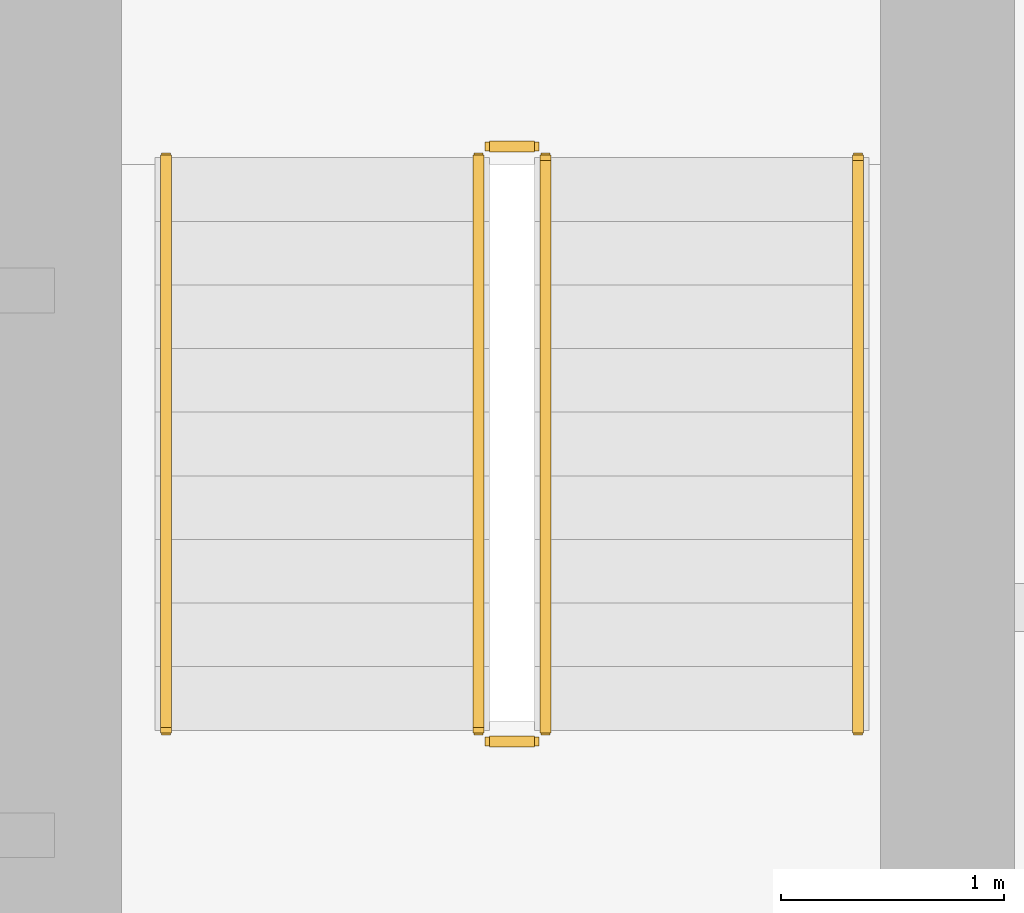
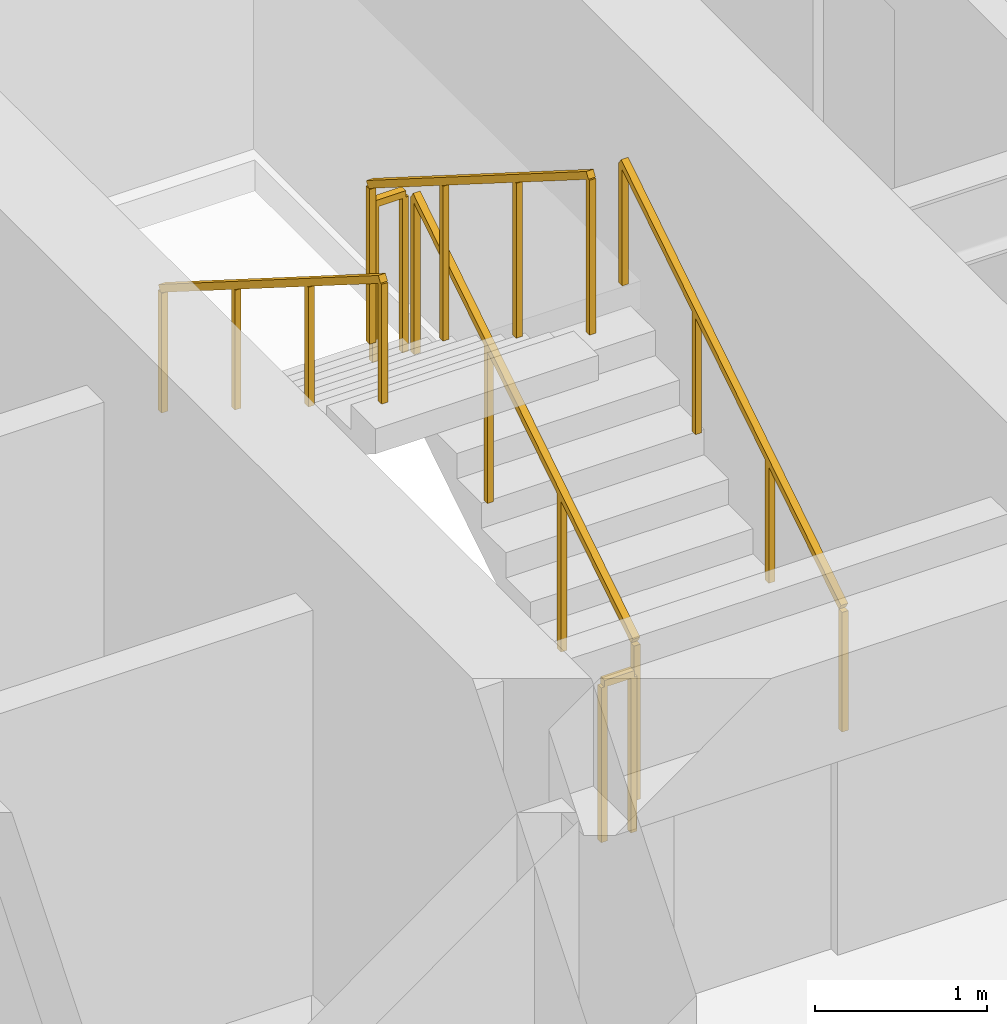
# One storey, part 26 of 26: 6 railings.
"""IFC4 building model written with IfcOpenShell, lengths in metres."""

from ifc_helpers import new_model, si_unit, direction, frame, origin, origin_2d, place, context, subcontext, project, spatial, rectangle, extrude, material, type_object, element, save


model = new_model("IFC4")

# Units and contexts
model_context = context("Model", 3, precision=1e-05, world=origin(), true_north=direction((0.0, 1.0)))
body_context = subcontext(model_context, "Body", "Model", "MODEL_VIEW")
ifc_project = project(units=[si_unit("LENGTHUNIT", "METRE"), si_unit("AREAUNIT", "SQUARE_METRE"), si_unit("VOLUMEUNIT", "CUBIC_METRE"), si_unit("PLANEANGLEUNIT", "RADIAN"), si_unit("MASSUNIT", "GRAM", prefix="KILO")], contexts=[model_context])

# Site, building, storey
site_placement = place(None, origin())
site = spatial("IfcSite", under=ifc_project, at=site_placement, CompositionType="ELEMENT")
building_placement = place(site_placement, origin())
building = spatial("IfcBuilding", under=site, at=building_placement, Name="Sarneth Arch Tower", CompositionType="ELEMENT")
storey_placement = place(building_placement, frame((0.0, 0.0, 49.800048828125)))
storey = spatial("IfcBuildingStorey", under=building, at=storey_placement, Name="L11", CompositionType="ELEMENT", Elevation=49.800048828125)

# Railings
ifc_material_1 = material(Name="Brushed Stainless Steel 304 tubular handrail", Category="steel")
railing_type_1 = type_object("IfcRailingType", Name="RAIL-HANDRAIL-900", PredefinedType="HANDRAIL", material=ifc_material_1)
railing_1_placement = place(storey_placement, frame((58.60009765625, 41.449951171875, 0.179931640625)))
element("IfcRailing", 1, at=railing_1_placement, inside=storey, type_object=railing_type_1, Name="L11 ST-2 stair handrail 1", PredefinedType="HANDRAIL", context=body_context, shape_type="SweptSolid", body=[
    extrude(rectangle(XDim=0.048095703125, YDim=0.048095703125, at=origin_2d()), frame((0.0, 0.0, 0.8759765625), z_axis=(0.0, 0.845465955043, 0.534029323973), x_axis=(-1.0, 0.0, 0.0)), (0.0, 0.0, 1.0), 3.03369140625),
    extrude(rectangle(XDim=0.0419921875, YDim=0.0419921875, at=origin_2d()), origin(), (0.0, 0.0, 1.0), 0.851806640625),
    extrude(rectangle(XDim=0.0419921875, YDim=0.0419921875, at=origin_2d()), frame((0.0, 0.85498046875, 0.5400390625)), (0.0, 0.0, 1.0), 0.851806640625),
    extrude(rectangle(XDim=0.0419921875, YDim=0.0419921875, at=origin_2d()), frame((0.0, 1.7099609375, 1.080078125)), (0.0, 0.0, 1.0), 0.851806640625),
    extrude(rectangle(XDim=0.0419921875, YDim=0.0419921875, at=origin_2d()), frame((0.0, 2.56494140625, 1.6201171875)), (0.0, 0.0, 1.0), 0.851806640625),
])
railing_2_placement = place(storey_placement, frame((55.5, 44.014892578125, 1.97998046875)))
element("IfcRailing", 2, at=railing_2_placement, inside=storey, type_object=railing_type_1, Name="L11 ST-2 stair handrail 2", PredefinedType="HANDRAIL", context=body_context, shape_type="SweptSolid", body=[
    extrude(rectangle(XDim=0.048095703125, YDim=0.048095703125, at=origin_2d()), frame((0.0, 0.0, 0.8759765625), z_axis=(0.0, -0.845502289212, 0.533971796014), x_axis=(1.0, 0.0, 0.0)), (0.0, 0.0, 1.0), 3.03369140625),
    extrude(rectangle(XDim=0.0419921875, YDim=0.0419921875, at=origin_2d()), origin(), (0.0, 0.0, 1.0), 0.851806640625),
    extrude(rectangle(XDim=0.0419921875, YDim=0.0419921875, at=origin_2d()), frame((0.0, -0.85498046875, 0.5400390625)), (0.0, 0.0, 1.0), 0.851806640625),
    extrude(rectangle(XDim=0.0419921875, YDim=0.0419921875, at=origin_2d()), frame((0.0, -1.7099609375, 1.079833984375)), (0.0, 0.0, 1.0), 0.851806640625),
    extrude(rectangle(XDim=0.0419921875, YDim=0.0419921875, at=origin_2d()), frame((0.0, -2.56494140625, 1.619873046875)), (0.0, 0.0, 1.0), 0.851806640625),
])
ifc_material_2 = material(Name="Painted Steel S275 stair well guard", Category="steel")
railing_type_2 = type_object("IfcRailingType", Name="RAIL-STAIR-GUARD", PredefinedType="GUARDRAIL", material=ifc_material_2)
railing_3_placement = place(storey_placement, frame((57.199951171875, 41.449951171875, 0.179931640625)))
element("IfcRailing", 3, at=railing_3_placement, inside=storey, type_object=railing_type_2, Name="L11 ST-2 stair guard 1", PredefinedType="GUARDRAIL", context=body_context, shape_type="SweptSolid", body=[
    extrude(rectangle(XDim=0.048095703125, YDim=0.048095703125, at=origin_2d()), frame((0.0, 0.0, 1.1259765625), z_axis=(0.0, 0.845465955043, 0.534029323973), x_axis=(-1.0, 0.0, 0.0)), (0.0, 0.0, 1.0), 3.03369140625),
    extrude(rectangle(XDim=0.0419921875, YDim=0.0419921875, at=origin_2d()), origin(), (0.0, 0.0, 1.0), 1.101806640625),
    extrude(rectangle(XDim=0.0419921875, YDim=0.0419921875, at=origin_2d()), frame((0.0, 0.85498046875, 0.5400390625)), (0.0, 0.0, 1.0), 1.101806640625),
    extrude(rectangle(XDim=0.0419921875, YDim=0.0419921875, at=origin_2d()), frame((0.0, 1.7099609375, 1.080078125)), (0.0, 0.0, 1.0), 1.101806640625),
    extrude(rectangle(XDim=0.0419921875, YDim=0.0419921875, at=origin_2d()), frame((0.0, 2.56494140625, 1.6201171875)), (0.0, 0.0, 1.0), 1.101806640625),
])
railing_4_placement = place(storey_placement, frame((57.14990234375, 44.06494140625, 1.800048828125)))
element("IfcRailing", 4, at=railing_4_placement, inside=storey, type_object=railing_type_2, Name="L11 ST-2 stair guard 2", PredefinedType="GUARDRAIL", context=body_context, shape_type="SweptSolid", body=[
    extrude(rectangle(XDim=0.048095703125, YDim=0.048095703125, at=origin_2d()), frame((0.0, 0.0, 1.1259765625), z_axis=(-1.0, 0.0, 0.0), x_axis=(0.0, -1.0, 0.0)), (0.0, 0.0, 1.0), 0.199951171875),
    extrude(rectangle(XDim=0.0419921875, YDim=0.0419921875, at=origin_2d()), origin(), (0.0, 0.0, 1.0), 1.101806640625),
    extrude(rectangle(XDim=0.0419921875, YDim=0.0419921875, at=origin_2d()), frame((-0.199951171875, 0.0, 0.0)), (0.0, 0.0, 1.0), 1.101806640625),
])
railing_5_placement = place(storey_placement, frame((56.89990234375, 44.014892578125, 1.97998046875)))
element("IfcRailing", 5, at=railing_5_placement, inside=storey, type_object=railing_type_2, Name="L11 ST-2 stair guard 3", PredefinedType="GUARDRAIL", context=body_context, shape_type="SweptSolid", body=[
    extrude(rectangle(XDim=0.048095703125, YDim=0.048095703125, at=origin_2d()), frame((0.0, 0.0, 1.1259765625), z_axis=(0.0, -0.845502289212, 0.533971796014), x_axis=(1.0, 0.0, 0.0)), (0.0, 0.0, 1.0), 3.03369140625),
    extrude(rectangle(XDim=0.0419921875, YDim=0.0419921875, at=origin_2d()), origin(), (0.0, 0.0, 1.0), 1.101806640625),
    extrude(rectangle(XDim=0.0419921875, YDim=0.0419921875, at=origin_2d()), frame((0.0, -0.85498046875, 0.5400390625)), (0.0, 0.0, 1.0), 1.101806640625),
    extrude(rectangle(XDim=0.0419921875, YDim=0.0419921875, at=origin_2d()), frame((0.0, -1.7099609375, 1.079833984375)), (0.0, 0.0, 1.0), 1.101806640625),
    extrude(rectangle(XDim=0.0419921875, YDim=0.0419921875, at=origin_2d()), frame((0.0, -2.56494140625, 1.619873046875)), (0.0, 0.0, 1.0), 1.101806640625),
])
railing_6_placement = place(storey_placement, frame((57.14990234375, 41.39990234375, 0.0)))
element("IfcRailing", 6, at=railing_6_placement, inside=storey, type_object=railing_type_2, Name="L11 ST-2 stair guard 4", PredefinedType="GUARDRAIL", context=body_context, shape_type="SweptSolid", body=[
    extrude(rectangle(XDim=0.048095703125, YDim=0.048095703125, at=origin_2d()), frame((0.0, 0.0, 1.1259765625), z_axis=(-1.0, 0.0, 0.0), x_axis=(0.0, -1.0, 0.0)), (0.0, 0.0, 1.0), 0.199951171875),
    extrude(rectangle(XDim=0.0419921875, YDim=0.0419921875, at=origin_2d()), origin(), (0.0, 0.0, 1.0), 1.101806640625),
    extrude(rectangle(XDim=0.0419921875, YDim=0.0419921875, at=origin_2d()), frame((-0.199951171875, 0.0, 0.0)), (0.0, 0.0, 1.0), 1.101806640625),
])

save(model, "model.ifc")
